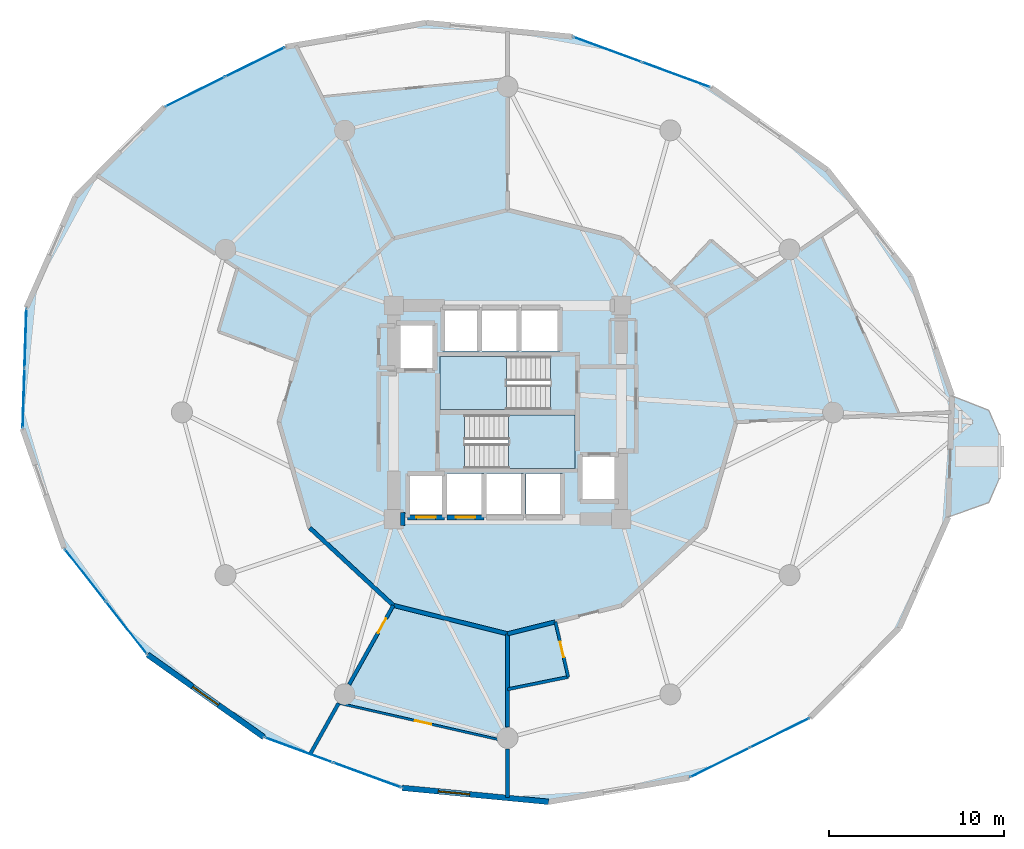
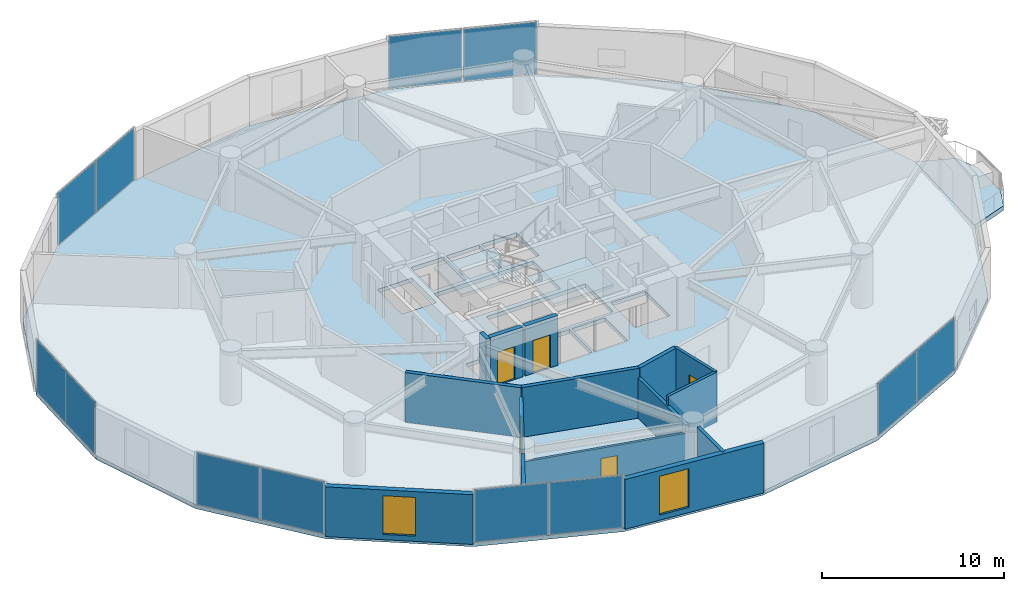
# One storey, part 16 of 22: 15 walls, 12 plates, 5 doors, 4 slabs, 2 windows, 7 openings, 8 elements without a shape of their own.
"""IFC4 building model written with IfcOpenShell, lengths in metres."""

from ifc_helpers import new_model, si_unit, direction, frame, frame_2d, origin, origin_2d, place, context, subcontext, project, spatial, polyline, rectangle, outline, extrude, source, transform, mapped, material, layer, layer_set, type_object, element, fill, aggregate, save


model = new_model("IFC4")

# Units and contexts
model_context = context("Model", 3, precision=1e-05, world=origin(), true_north=direction((0.0, 1.0)))
body_context = subcontext(model_context, "Body", "Model", "MODEL_VIEW")
ifc_project = project(units=[si_unit("LENGTHUNIT", "METRE"), si_unit("AREAUNIT", "SQUARE_METRE"), si_unit("VOLUMEUNIT", "CUBIC_METRE"), si_unit("PLANEANGLEUNIT", "RADIAN"), si_unit("MASSUNIT", "GRAM", prefix="KILO")], contexts=[model_context])

# Site, building, storey
site_placement = place(None, origin())
site = spatial("IfcSite", under=ifc_project, at=site_placement, CompositionType="ELEMENT")
building_placement = place(site_placement, origin())
building = spatial("IfcBuilding", under=site, at=building_placement, Name="Solvirekh Grand Hotel", CompositionType="ELEMENT")
storey_placement = place(building_placement, frame((0.0, 0.0, 53.60009765625)))
storey = spatial("IfcBuildingStorey", under=building, at=storey_placement, Name="L12", CompositionType="ELEMENT", Elevation=53.60009765625)

# Slab
ifc_material_1 = material(Name="Concrete C50/60", Category="concrete")
ifc_layer_1 = layer(ifc_material_1, 0.31005859375)
ifc_layer_set_1 = layer_set([ifc_layer_1], Name="Concrete C50/60")
slab_type_1 = type_object("IfcSlabType", Name="ExtHornSkyGarden_310", PredefinedType="FLOOR", material=ifc_layer_set_1)
slab_1_placement = place(storey_placement, frame((0.0, 0.0, -0.31005859375)))
element("IfcSlab", 1, at=slab_1_placement, inside=storey, type_object=slab_type_1, Name="L12 east horn sky-garden deck", PredefinedType="FLOOR", context=body_context, shape_type="SweptSolid", body=[
    extrude(outline(polyline([(25.39697265625, 0.93994140625), (25.178955078125, -5.98193359375), (27.4970703125, -5.15087890625), (28.096923828125, -3.76708984375), (28.096923828125, -1.27490234375), (27.4970703125, 0.10888671875), (25.39697265625, 0.93994140625)])), origin(), (0.0, 0.0, 1.0), 0.31005859375),
])

# Stair, slab
ifc_material_2 = material(Name="Concrete C40/50", Category="concrete")
stair_type = type_object("IfcStairType", Name="Stair_Core_1450", PredefinedType="HALF_TURN_STAIR", material=ifc_material_2)
stair_1_placement = place(storey_placement, origin())
stair_1 = element("IfcStair", 2, at=stair_1_placement, inside=storey, type_object=stair_type, Name="L12 Enclosed exit stair ST-1", PredefinedType="HALF_TURN_STAIR")
ifc_layer_2 = layer(ifc_material_2, 0.199951171875)
ifc_layer_set_2 = layer_set([ifc_layer_2], Name="Concrete C40/50")
slab_type_2 = type_object("IfcSlabType", Name="Landing_Stair_200", PredefinedType="LANDING", material=ifc_layer_set_2)
slab_2_placement = place(storey_placement, frame((0.0, 0.0, 1.599853515625)))
slab_2 = element("IfcSlab", 3, at=slab_2_placement, type_object=slab_type_2, Name="ST-1 landing 1", PredefinedType="LANDING", context=body_context, shape_type="SweptSolid", body=[
    extrude(outline(polyline([(0.070068359375, -3.199951171875), (3.85009765625, -3.199951171875), (3.85009765625, -0.14990234375), (0.070068359375, -0.14990234375), (0.070068359375, -3.199951171875)])), origin(), (0.0, 0.0, 1.0), 0.199951171875),
])
aggregate(stair_1, [slab_2])

stair_2_placement = place(storey_placement, origin())
stair_2 = element("IfcStair", 4, at=stair_2_placement, inside=storey, type_object=stair_type, Name="L12 Enclosed exit stair ST-2", PredefinedType="HALF_TURN_STAIR")
slab_3_placement = place(storey_placement, frame((0.0, 0.0, 1.599853515625)))
slab_3 = element("IfcSlab", 5, at=slab_3_placement, type_object=slab_type_2, Name="ST-2 landing 1", PredefinedType="LANDING", context=body_context, shape_type="SweptSolid", body=[
    extrude(outline(polyline([(-0.070068359375, 3.199951171875), (-3.85009765625, 3.199951171875), (-3.85009765625, 0.14990234375), (-0.070068359375, 0.14990234375), (-0.070068359375, 3.199951171875)])), origin(), (0.0, 0.0, 1.0), 0.199951171875),
])
aggregate(stair_2, [slab_3])

# Slab
ifc_layer_3 = layer(ifc_material_1, 0.260009765625)
ifc_layer_set_3 = layer_set([ifc_layer_3], Name="Concrete C50/60")
slab_type_3 = type_object("IfcSlabType", Name="Slab_GuestZ1_260", PredefinedType="FLOOR", material=ifc_layer_set_3)
slab_4_placement = place(storey_placement, frame((0.0, 0.0, -0.260009765625)))
element("IfcSlab", 6, at=slab_4_placement, inside=storey, type_object=slab_type_3, Name="L12 structural floor slab", PredefinedType="FLOOR", context=body_context, shape_type="SweptSolid", body=[
    extrude(outline(polyline([(25.178955078125, -5.98193359375), (25.39697265625, 0.93994140625), (23.01611328125, 7.77099609375), (18.26904296875, 13.840087890625), (11.6220703125, 18.554931640625), (3.72412109375, 21.452880859375), (-4.65087890625, 22.251953125), (-12.68310546875, 20.8720703125), (-19.5859375, 17.448974609375), (-24.68408203125, 12.318115234375), (-27.47900390625, 5.98193359375), (-27.697021484375, -0.93994140625), (-25.31591796875, -7.77099609375), (-20.569091796875, -13.840087890625), (-13.922119140625, -18.554931640625), (-6.02392578125, -21.452880859375), (2.35107421875, -22.251953125), (10.383056640625, -20.8720703125), (17.285888671875, -17.448974609375), (22.384033203125, -12.318115234375), (25.178955078125, -5.98193359375)]), holes=[polyline([(-2.444091796875, -0.14990234375), (3.85009765625, -0.14990234375), (3.85009765625, -3.199951171875), (-2.444091796875, -3.199951171875), (-2.444091796875, -0.14990234375)]), polyline([(2.444091796875, 0.14990234375), (-3.85009765625, 0.14990234375), (-3.85009765625, 3.199951171875), (2.444091796875, 3.199951171875), (2.444091796875, 0.14990234375)]), polyline([(-5.699951171875, -3.5), (-3.60009765625, -3.5), (-3.60009765625, -6.0), (-5.699951171875, -6.0), (-5.699951171875, -3.5)]), polyline([(-3.449951171875, -3.5), (-1.35009765625, -3.5), (-1.35009765625, -6.0), (-3.449951171875, -6.0), (-3.449951171875, -3.5)]), polyline([(-1.199951171875, -3.5), (0.89990234375, -3.5), (0.89990234375, -6.0), (-1.199951171875, -6.0), (-1.199951171875, -3.5)]), polyline([(1.050048828125, -3.5), (3.14990234375, -3.5), (3.14990234375, -6.0), (1.050048828125, -6.0), (1.050048828125, -3.5)]), polyline([(-3.699951171875, 6.0), (-1.60009765625, 6.0), (-1.60009765625, 3.5), (-3.699951171875, 3.5), (-3.699951171875, 6.0)]), polyline([(-1.449951171875, 6.0), (0.64990234375, 6.0), (0.64990234375, 3.5), (-1.449951171875, 3.5), (-1.449951171875, 6.0)]), polyline([(0.800048828125, 6.0), (3.0, 6.0), (3.0, 3.5), (0.800048828125, 3.5), (0.800048828125, 6.0)]), polyline([(-6.35009765625, 5.10009765625), (-4.14990234375, 5.10009765625), (-4.14990234375, 2.39990234375), (-6.35009765625, 2.39990234375), (-6.35009765625, 5.10009765625)]), polyline([(4.14990234375, -2.39990234375), (6.35009765625, -2.39990234375), (6.35009765625, -5.10009765625), (4.14990234375, -5.10009765625), (4.14990234375, -2.39990234375)])]), origin(), (0.0, 0.0, 1.0), 0.260009765625),
])

# Curtain wall, plates
ifc_material_3 = material(Name="Anodized Bronze Aluminium 6063-T6", Category="aluminium")
ifc_layer_4 = layer(ifc_material_3, 0.18994140625)
ifc_layer_set_4 = layer_set([ifc_layer_4], Name="Anodized Bronze Aluminium 6063-T6")
curtain_wall_type = type_object("IfcCurtainWallType", Name="CW_Sys2_LowZoneFlushBronzeCW", PredefinedType="NOTDEFINED", material=ifc_layer_set_4)
curtain_wall_1_placement = place(storey_placement, origin())
curtain_wall_1 = element("IfcCurtainWall", 7, at=curtain_wall_1_placement, inside=storey, type_object=curtain_wall_type, Name="L12 unitised bronze-glass curtain wall CW-L12-C05", PredefinedType="NOTDEFINED")
ifc_material_4 = material(Name="Low-E Tinted Bronze Laminated Glass", Category="aluminium")
ifc_layer_5 = layer(ifc_material_4, 0.0380859375)
ifc_layer_set_5 = layer_set([ifc_layer_5], Name="Low-E Tinted Bronze Laminated Glass")
plate_type = type_object("IfcPlateType", Name="CWPanel_Low_38", PredefinedType="CURTAIN_PANEL", material=ifc_layer_set_5)
shared_shape_1 = source(origin(), body_context, "Body", "SweptSolid", [
    extrude(rectangle(XDim=4.1015625, YDim=0.0380859375, at=origin_2d()), origin(), (0.0, 0.0, 1.0), 3.47998046875),
])
plate_1_placement = place(storey_placement, frame((9.631103515625, 19.28564453125, 0.059814453125), z_axis=(0.0, 0.0, 1.0), x_axis=(-0.938796892263, 0.344471181781, 0.0)))
plate_1 = element("IfcPlate", 8, at=plate_1_placement, type_object=plate_type, Name="U02 panel 1.1", PredefinedType="CURTAIN_PANEL", context=body_context, shape_type="MappedRepresentation", body=[
    mapped(shared_shape_1, transform((0.0, 0.0, 0.0), x_axis=(1.0, 0.0, 0.0), y_axis=(0.0, 1.0, 0.0), z_axis=(0.0, 0.0, 1.0), scale=1.0)),
])
plate_2_placement = place(storey_placement, frame((5.71484375, 20.722412109375, 0.059814453125), z_axis=(0.0, 0.0, 1.0), x_axis=(-0.938796892263, 0.344471181781, 0.0)))
plate_2 = element("IfcPlate", 9, at=plate_2_placement, type_object=plate_type, Name="U02 panel 2.1", PredefinedType="CURTAIN_PANEL", context=body_context, shape_type="MappedRepresentation", body=[
    mapped(shared_shape_1, transform((0.0, 0.0, 0.0), x_axis=(1.0, 0.0, 0.0), y_axis=(0.0, 1.0, 0.0), z_axis=(0.0, 0.0, 1.0), scale=1.0)),
])
aggregate(curtain_wall_1, [plate_1, plate_2])

curtain_wall_2_placement = place(storey_placement, origin())
curtain_wall_2 = element("IfcCurtainWall", 10, at=curtain_wall_2_placement, inside=storey, type_object=curtain_wall_type, Name="L12 unitised bronze-glass curtain wall CW-L12-C15", PredefinedType="NOTDEFINED")
plate_3_placement = place(storey_placement, frame((-11.93115234375, -19.28564453125, 0.059814453125), z_axis=(0.0, 0.0, 1.0), x_axis=(0.938796892263, -0.344471181781, 0.0)))
plate_3 = element("IfcPlate", 11, at=plate_3_placement, type_object=plate_type, Name="U02 panel 1.1", PredefinedType="CURTAIN_PANEL", context=body_context, shape_type="MappedRepresentation", body=[
    mapped(shared_shape_1, transform((0.0, 0.0, 0.0), x_axis=(1.0, 0.0, 0.0), y_axis=(0.0, 1.0, 0.0), z_axis=(0.0, 0.0, 1.0), scale=1.0)),
])
plate_4_placement = place(storey_placement, frame((-8.014892578125, -20.722412109375, 0.059814453125), z_axis=(0.0, 0.0, 1.0), x_axis=(0.938796892263, -0.344471181781, 0.0)))
plate_4 = element("IfcPlate", 12, at=plate_4_placement, type_object=plate_type, Name="U02 panel 2.1", PredefinedType="CURTAIN_PANEL", context=body_context, shape_type="MappedRepresentation", body=[
    mapped(shared_shape_1, transform((0.0, 0.0, 0.0), x_axis=(1.0, 0.0, 0.0), y_axis=(0.0, 1.0, 0.0), z_axis=(0.0, 0.0, 1.0), scale=1.0)),
])
aggregate(curtain_wall_2, [plate_3, plate_4])

curtain_wall_3_placement = place(storey_placement, origin())
curtain_wall_3 = element("IfcCurtainWall", 13, at=curtain_wall_3_placement, inside=storey, type_object=curtain_wall_type, Name="L12 unitised bronze-glass curtain wall CW-L12-C08", PredefinedType="NOTDEFINED")
shared_shape_2 = source(origin(), body_context, "Body", "SweptSolid", [
    extrude(rectangle(XDim=3.74755859375, YDim=0.0380859375, at=origin_2d()), origin(), (0.0, 0.0, 1.0), 3.47998046875),
])
plate_5_placement = place(storey_placement, frame((-14.42431640625, 20.008544921875, 0.059814453125), z_axis=(0.0, 0.0, 1.0), x_axis=(-0.895901838502, -0.444252063325, 0.0)))
plate_5 = element("IfcPlate", 14, at=plate_5_placement, type_object=plate_type, Name="U02 panel 1.1", PredefinedType="CURTAIN_PANEL", context=body_context, shape_type="MappedRepresentation", body=[
    mapped(shared_shape_2, transform((0.0, 0.0, 0.0), x_axis=(1.0, 0.0, 0.0), y_axis=(0.0, 1.0, 0.0), z_axis=(0.0, 0.0, 1.0), scale=1.0)),
])
plate_6_placement = place(storey_placement, frame((-17.844482421875, 18.3125, 0.059814453125), z_axis=(0.0, 0.0, 1.0), x_axis=(-0.895901838502, -0.444252063325, 0.0)))
plate_6 = element("IfcPlate", 15, at=plate_6_placement, type_object=plate_type, Name="U02 panel 2.1", PredefinedType="CURTAIN_PANEL", context=body_context, shape_type="MappedRepresentation", body=[
    mapped(shared_shape_2, transform((0.0, 0.0, 0.0), x_axis=(1.0, 0.0, 0.0), y_axis=(0.0, 1.0, 0.0), z_axis=(0.0, 0.0, 1.0), scale=1.0)),
])
aggregate(curtain_wall_3, [plate_5, plate_6])

curtain_wall_4_placement = place(storey_placement, origin())
curtain_wall_4 = element("IfcCurtainWall", 16, at=curtain_wall_4_placement, inside=storey, type_object=curtain_wall_type, Name="L12 unitised bronze-glass curtain wall CW-L12-C13", PredefinedType="NOTDEFINED")
plate_7_placement = place(storey_placement, frame((-24.118408203125, -9.302001953125, 0.059814453125), z_axis=(0.0, 0.0, 1.0), x_axis=(0.61609476898, -0.78767203558, 0.0)))
plate_7 = element("IfcPlate", 17, at=plate_7_placement, type_object=plate_type, Name="U02 panel 1.1", PredefinedType="CURTAIN_PANEL", context=body_context, shape_type="MappedRepresentation", body=[
    mapped(shared_shape_2, transform((0.0, 0.0, 0.0), x_axis=(1.0, 0.0, 0.0), y_axis=(0.0, 1.0, 0.0), z_axis=(0.0, 0.0, 1.0), scale=1.0)),
])
plate_8_placement = place(storey_placement, frame((-21.7666015625, -12.30908203125, 0.059814453125), z_axis=(0.0, 0.0, 1.0), x_axis=(0.61609476898, -0.78767203558, 0.0)))
plate_8 = element("IfcPlate", 18, at=plate_8_placement, type_object=plate_type, Name="U02 panel 2.1", PredefinedType="CURTAIN_PANEL", context=body_context, shape_type="MappedRepresentation", body=[
    mapped(shared_shape_2, transform((0.0, 0.0, 0.0), x_axis=(1.0, 0.0, 0.0), y_axis=(0.0, 1.0, 0.0), z_axis=(0.0, 0.0, 1.0), scale=1.0)),
])
aggregate(curtain_wall_4, [plate_7, plate_8])

curtain_wall_5_placement = place(storey_placement, origin())
curtain_wall_5 = element("IfcCurtainWall", 19, at=curtain_wall_5_placement, inside=storey, type_object=curtain_wall_type, Name="L12 unitised bronze-glass curtain wall CW-L12-C18", PredefinedType="NOTDEFINED")
plate_9_placement = place(storey_placement, frame((12.12451171875, -20.008544921875, 0.059814453125), z_axis=(0.0, 0.0, 1.0), x_axis=(0.895901838502, 0.444252063325, 0.0)))
plate_9 = element("IfcPlate", 20, at=plate_9_placement, type_object=plate_type, Name="U02 panel 1.1", PredefinedType="CURTAIN_PANEL", context=body_context, shape_type="MappedRepresentation", body=[
    mapped(shared_shape_2, transform((0.0, 0.0, 0.0), x_axis=(1.0, 0.0, 0.0), y_axis=(0.0, 1.0, 0.0), z_axis=(0.0, 0.0, 1.0), scale=1.0)),
])
plate_10_placement = place(storey_placement, frame((15.544677734375, -18.3125, 0.059814453125), z_axis=(0.0, 0.0, 1.0), x_axis=(0.895901838502, 0.444252063325, 0.0)))
plate_10 = element("IfcPlate", 21, at=plate_10_placement, type_object=plate_type, Name="U02 panel 2.1", PredefinedType="CURTAIN_PANEL", context=body_context, shape_type="MappedRepresentation", body=[
    mapped(shared_shape_2, transform((0.0, 0.0, 0.0), x_axis=(1.0, 0.0, 0.0), y_axis=(0.0, 1.0, 0.0), z_axis=(0.0, 0.0, 1.0), scale=1.0)),
])
aggregate(curtain_wall_5, [plate_9, plate_10])

curtain_wall_6_placement = place(storey_placement, origin())
curtain_wall_6 = element("IfcCurtainWall", 22, at=curtain_wall_6_placement, inside=storey, type_object=curtain_wall_type, Name="L12 unitised bronze-glass curtain wall CW-L12-C11", PredefinedType="NOTDEFINED")
shared_shape_3 = source(origin(), body_context, "Body", "SweptSolid", [
    extrude(rectangle(XDim=3.357666015625, YDim=0.0380859375, at=origin_2d()), origin(), (0.0, 0.0, 1.0), 3.47998046875),
])
plate_11_placement = place(storey_placement, frame((-27.533935546875, 4.23388671875, 0.059814453125), z_axis=(0.0, 0.0, 1.0), x_axis=(-0.03147818083, -0.999504439276, 0.0)))
plate_11 = element("IfcPlate", 23, at=plate_11_placement, type_object=plate_type, Name="U02 panel 1.1", PredefinedType="CURTAIN_PANEL", context=body_context, shape_type="MappedRepresentation", body=[
    mapped(shared_shape_3, transform((0.0, 0.0, 0.0), x_axis=(1.0, 0.0, 0.0), y_axis=(0.0, 1.0, 0.0), z_axis=(0.0, 0.0, 1.0), scale=1.0)),
])
plate_12_placement = place(storey_placement, frame((-27.641845703125, 0.80810546875, 0.059814453125), z_axis=(0.0, 0.0, 1.0), x_axis=(-0.03147818083, -0.999504439276, 0.0)))
plate_12 = element("IfcPlate", 24, at=plate_12_placement, type_object=plate_type, Name="U02 panel 2.1", PredefinedType="CURTAIN_PANEL", context=body_context, shape_type="MappedRepresentation", body=[
    mapped(shared_shape_3, transform((0.0, 0.0, 0.0), x_axis=(1.0, 0.0, 0.0), y_axis=(0.0, 1.0, 0.0), z_axis=(0.0, 0.0, 1.0), scale=1.0)),
])
aggregate(curtain_wall_6, [plate_11, plate_12])

# Wall, opening, door
ifc_layer_6 = layer(ifc_material_2, 0.280029296875)
ifc_layer_set_6 = layer_set([ifc_layer_6], Name="Concrete C40/50")
wall_type_1 = type_object("IfcWallType", Name="CoreShaftWall_RC280", PredefinedType="SOLIDWALL", material=ifc_layer_set_6)
wall_1_placement = place(storey_placement, frame((-5.699951171875, -6.0, 0.0), z_axis=(0.0, 0.0, 1.0), x_axis=(1.0, 0.0, 0.0)))
wall_1 = element("IfcWall", 25, at=wall_1_placement, inside=storey, type_object=wall_type_1, Name="L12 LP-1 hoistway S wall", PredefinedType="SOLIDWALL", context=body_context, shape_type="SweptSolid", body=[
    extrude(rectangle(XDim=2.099853515625, YDim=0.280029296875, at=frame_2d((1.0498046875, 0.0))), origin(), (0.0, 0.0, 1.0), 3.33984375),
])
opening_1_placement = place(wall_1_placement, frame((0.5, 0.0, 0.0)))
opening_1 = element("IfcOpeningElement", 26, at=opening_1_placement, cuts=wall_1, Name="Opening LD01", PredefinedType="OPENING", context=body_context, shape_type="SweptSolid", body=[
    extrude(rectangle(XDim=1.10009765625, YDim=2.199951171875, at=frame_2d((0.550048828125, 1.10009765625))), frame((0.0, 0.14990234375, 0.0), z_axis=(0.0, -1.0, 0.0), x_axis=(1.0, 0.0, 0.0)), (0.0, 0.0, 1.0), 0.300048828125),
])
ifc_material_5 = material(Name="Fire-Rated Steel Door Assembly", Category="steel")
door_type_1 = type_object("IfcDoorType", Name="Door_LiftLanding_1100X2200", OperationType="SLIDING_TO_LEFT", PredefinedType="DOOR", material=ifc_material_5)
door_1_placement = place(opening_1_placement, origin())
door_1 = element("IfcDoor", 27, at=door_1_placement, inside=storey, type_object=door_type_1, Name="L12 LP-1 sliding lift landing door", OperationType="SLIDING_TO_LEFT", OverallHeight=2.199951171875, OverallWidth=1.10009765625, PredefinedType="DOOR", context=body_context, shape_type="SweptSolid", body=[
    extrude(rectangle(XDim=1.10009765625, YDim=2.199951171875, at=frame_2d((0.550048828125, 1.10009765625))), frame((0.0, 0.02490234375, 0.0), z_axis=(0.0, -1.0, 0.0), x_axis=(1.0, 0.0, 0.0)), (0.0, 0.0, 1.0), 0.050048828125),
])
fill(opening_1, door_1)

wall_2_placement = place(storey_placement, frame((-3.449951171875, -6.0, 0.0), z_axis=(0.0, 0.0, 1.0), x_axis=(1.0, 0.0, 0.0)))
wall_2 = element("IfcWall", 28, at=wall_2_placement, inside=storey, type_object=wall_type_1, Name="L12 LP-2 hoistway S wall", PredefinedType="SOLIDWALL", context=body_context, shape_type="SweptSolid", body=[
    extrude(rectangle(XDim=2.099853515625, YDim=0.280029296875, at=frame_2d((1.0498046875, 0.0))), origin(), (0.0, 0.0, 1.0), 3.33984375),
])
opening_2_placement = place(wall_2_placement, frame((0.5, 0.0, 0.0)))
opening_2 = element("IfcOpeningElement", 29, at=opening_2_placement, cuts=wall_2, Name="Opening LD01", PredefinedType="OPENING", context=body_context, shape_type="SweptSolid", body=[
    extrude(rectangle(XDim=1.10009765625, YDim=2.199951171875, at=frame_2d((0.550048828125, 1.10009765625))), frame((0.0, 0.14990234375, 0.0), z_axis=(0.0, -1.0, 0.0), x_axis=(1.0, 0.0, 0.0)), (0.0, 0.0, 1.0), 0.300048828125),
])
door_2_placement = place(opening_2_placement, origin())
door_2 = element("IfcDoor", 30, at=door_2_placement, inside=storey, type_object=door_type_1, Name="L12 LP-2 sliding lift landing door", OperationType="SLIDING_TO_LEFT", OverallHeight=2.199951171875, OverallWidth=1.10009765625, PredefinedType="DOOR", context=body_context, shape_type="SweptSolid", body=[
    extrude(rectangle(XDim=1.10009765625, YDim=2.199951171875, at=frame_2d((0.550048828125, 1.10009765625))), frame((0.0, 0.02490234375, 0.0), z_axis=(0.0, -1.0, 0.0), x_axis=(1.0, 0.0, 0.0)), (0.0, 0.0, 1.0), 0.050048828125),
])
fill(opening_2, door_2)

# Wall
ifc_material_6 = material(Name="Concrete C60/75", Category="concrete")
ifc_layer_7 = layer(ifc_material_6, 0.75)
ifc_layer_set_7 = layer_set([ifc_layer_7], Name="Concrete C60/75")
wall_type_2 = type_object("IfcWallType", Name="CoreWall_RC750", PredefinedType="SHEAR", material=ifc_layer_set_7)
wall_3_placement = place(storey_placement, frame((-6.125, -6.10009765625, 0.0), z_axis=(0.0, 0.0, 1.0), x_axis=(1.0, 0.0, 0.0)))
element("IfcWall", 31, at=wall_3_placement, inside=storey, type_object=wall_type_2, Name="L12 core corner shear wall SW-S", PredefinedType="SHEAR", context=body_context, shape_type="SweptSolid", body=[
    extrude(rectangle(XDim=0.27490234375, YDim=0.75, at=frame_2d((0.137451171875, 0.0))), origin(), (0.0, 0.0, 1.0), 3.599853515625),
])

# Wall, opening, window
ifc_material_7 = material(Name="Precast concrete C45/55", Category="concrete")
ifc_layer_8 = layer(ifc_material_7, 0.320068359375)
ifc_layer_set_8 = layer_set([ifc_layer_8], Name="Precast concrete C45/55")
wall_type_3 = type_object("IfcWallType", Name="ExtLobbyWall_RC320", PredefinedType="SOLIDWALL", material=ifc_layer_set_8)
wall_4_placement = place(storey_placement, frame((-13.922119140625, -18.554931640625, 0.0), z_axis=(0.0, 0.0, 1.0), x_axis=(-0.815643955579, 0.578554178731, 0.0)))
wall_4 = element("IfcWall", 32, at=wall_4_placement, inside=storey, type_object=wall_type_3, Name="L12 exterior structural wall chord 14", PredefinedType="SOLIDWALL", context=body_context, shape_type="SweptSolid", body=[
    extrude(rectangle(XDim=8.1494140625, YDim=0.320068359375, at=frame_2d((4.07470703125, 0.0))), origin(), (0.0, 0.0, 1.0), 3.33984375),
])
opening_3_placement = place(wall_4_placement, frame((3.175048828125, 0.0, 0.35009765625)))
opening_3 = element("IfcOpeningElement", 33, at=opening_3_placement, cuts=wall_4, Name="Opening W02", PredefinedType="OPENING", context=body_context, shape_type="SweptSolid", body=[
    extrude(rectangle(XDim=1.800048828125, YDim=2.60009765625, at=frame_2d((0.89990234375, 1.300048828125))), frame((0.0, 0.169921875, 0.0), z_axis=(0.0, -1.0, 0.0), x_axis=(1.0, 0.0, 0.0)), (0.0, 0.0, 1.0), 0.340087890625),
])
window_type = type_object("IfcWindowType", Name="Win_LobbyExt_1800X2600", PartitioningType="SINGLE_PANEL", PredefinedType="WINDOW", material=ifc_material_4)
window_1_placement = place(opening_3_placement, origin())
window_1 = element("IfcWindow", 34, at=window_1_placement, inside=storey, type_object=window_type, Name="L12 panoramic bronze-framed window 14", OverallHeight=2.60009765625, OverallWidth=1.800048828125, PartitioningType="SINGLE_PANEL", PredefinedType="WINDOW", context=body_context, shape_type="SweptSolid", body=[
    extrude(rectangle(XDim=1.800048828125, YDim=2.60009765625, at=frame_2d((0.89990234375, 1.300048828125))), frame((0.0, 0.030029296875, 0.0), z_axis=(0.0, -1.0, 0.0), x_axis=(1.0, 0.0, 0.0)), (0.0, 0.0, 1.0), 0.06005859375),
])
fill(opening_3, window_1)

wall_5_placement = place(storey_placement, frame((2.35107421875, -22.251953125, 0.0), z_axis=(0.0, 0.0, 1.0), x_axis=(-0.995479154881, 0.094980272677, 0.0)))
wall_5 = element("IfcWall", 35, at=wall_5_placement, inside=storey, type_object=wall_type_3, Name="L12 exterior structural wall chord 16", PredefinedType="SOLIDWALL", context=body_context, shape_type="SweptSolid", body=[
    extrude(rectangle(XDim=8.4130859375, YDim=0.320068359375, at=frame_2d((4.20654296875, 0.0))), origin(), (0.0, 0.0, 1.0), 3.33984375),
])
opening_4_placement = place(wall_5_placement, frame((4.5390625, 0.0, 0.35009765625)))
opening_4 = element("IfcOpeningElement", 36, at=opening_4_placement, cuts=wall_5, Name="Opening W02", PredefinedType="OPENING", context=body_context, shape_type="SweptSolid", body=[
    extrude(rectangle(XDim=1.800048828125, YDim=2.60009765625, at=frame_2d((0.89990234375, 1.300048828125))), frame((0.0, 0.169921875, 0.0), z_axis=(0.0, -1.0, 0.0), x_axis=(1.0, 0.0, 0.0)), (0.0, 0.0, 1.0), 0.340087890625),
])
window_2_placement = place(opening_4_placement, origin())
window_2 = element("IfcWindow", 37, at=window_2_placement, inside=storey, type_object=window_type, Name="L12 panoramic bronze-framed window 16", OverallHeight=2.60009765625, OverallWidth=1.800048828125, PartitioningType="SINGLE_PANEL", PredefinedType="WINDOW", context=body_context, shape_type="SweptSolid", body=[
    extrude(rectangle(XDim=1.800048828125, YDim=2.60009765625, at=frame_2d((0.89990234375, 1.300048828125))), frame((0.0, 0.030029296875, 0.0), z_axis=(0.0, -1.0, 0.0), x_axis=(1.0, 0.0, 0.0)), (0.0, 0.0, 1.0), 0.06005859375),
])
fill(opening_4, window_2)

# Walls
ifc_material_8 = material(Name="Acoustic Gypsum Partition Assembly")
ifc_layer_9 = layer(ifc_material_8, 0.239990234375)
ifc_layer_set_9 = layer_set([ifc_layer_9], Name="Acoustic Gypsum Partition Assembly")
wall_type_4 = type_object("IfcWallType", Name="Part_Corridor_240", PredefinedType="PARTITIONING", material=ifc_layer_set_9)
wall_6_placement = place(storey_placement, frame((-11.302001953125, -6.60009765625, 0.0), z_axis=(0.0, 0.0, 1.0), x_axis=(0.733323191675, -0.679880207501, 0.0)))
element("IfcWall", 38, at=wall_6_placement, inside=storey, type_object=wall_type_4, Name="L12 Presidential Suite 1401 Living Room corridor wall 2", PredefinedType="PARTITIONING", context=body_context, shape_type="SweptSolid", body=[
    extrude(rectangle(XDim=6.514404296875, YDim=0.239990234375, at=frame_2d((3.25732421875, 0.0))), origin(), (0.0, 0.0, 1.0), 3.33984375),
])
wall_7_placement = place(storey_placement, frame((-6.52490234375, -11.029052734375, 0.0), z_axis=(0.0, 0.0, 1.0), x_axis=(0.970504544001, -0.241082828243, 0.0)))
element("IfcWall", 39, at=wall_7_placement, inside=storey, type_object=wall_type_4, Name="L12 Presidential Suite 1401 Suite Foyer corridor enclosure wall", PredefinedType="PARTITIONING", context=body_context, shape_type="SweptSolid", body=[
    extrude(rectangle(XDim=6.72314453125, YDim=0.239990234375, at=frame_2d((3.361572265625, 0.0))), origin(), (0.0, 0.0, 1.0), 3.33984375),
])
wall_8_placement = place(storey_placement, frame((0.0, -12.64990234375, 0.0), z_axis=(0.0, 0.0, 1.0), x_axis=(0.970482346271, 0.241172169986, 0.0)))
element("IfcWall", 40, at=wall_8_placement, inside=storey, type_object=wall_type_4, Name="L12 En-suite Bathroom 1402 corridor backing wall", PredefinedType="PARTITIONING", context=body_context, shape_type="SweptSolid", body=[
    extrude(rectangle(XDim=2.8232421875, YDim=0.239990234375, at=frame_2d((1.41162109375, 0.0))), origin(), (0.0, 0.0, 1.0), 3.33984375),
])

# Wall, opening, door
ifc_layer_10 = layer(ifc_material_8, 0.135009765625)
ifc_layer_set_10 = layer_set([ifc_layer_10], Name="Acoustic Gypsum Partition Assembly")
wall_type_5 = type_object("IfcWallType", Name="Part_RoomInt_135", PredefinedType="PARTITIONING", material=ifc_layer_set_10)
wall_9_placement = place(storey_placement, frame((-9.64599609375, -16.614990234375, 0.0), z_axis=(0.0, 0.0, 1.0), x_axis=(0.975007616146, -0.222171439336, 0.0)))
wall_9 = element("IfcWall", 41, at=wall_9_placement, inside=storey, type_object=wall_type_5, Name="L12 Presidential Suite 1401 Suite Foyer bedroom screen wall", PredefinedType="PARTITIONING", context=body_context, shape_type="SweptSolid", body=[
    extrude(rectangle(XDim=9.893310546875, YDim=0.135009765625, at=frame_2d((4.94677734375, 0.0))), origin(), (0.0, 0.0, 1.0), 2.7919921875),
])
opening_5_placement = place(wall_9_placement, frame((4.471923828125, 0.0, 0.0)))
opening_5 = element("IfcOpeningElement", 42, at=opening_5_placement, cuts=wall_9, Name="Opening D10", PredefinedType="OPENING", context=body_context, shape_type="SweptSolid", body=[
    extrude(rectangle(XDim=0.949951171875, YDim=2.10009765625, at=frame_2d((0.47509765625, 1.050048828125))), frame((0.0, 0.07763671875, 0.0), z_axis=(0.0, -1.0, 0.0), x_axis=(1.0, 0.0, 0.0)), (0.0, 0.0, 1.0), 0.155029296875),
])
door_type_2 = type_object("IfcDoorType", Name="Door_RoomInt_950X2100", OperationType="NOTDEFINED", PredefinedType="DOOR", material=ifc_material_3)
door_3_placement = place(opening_5_placement, origin())
door_3 = element("IfcDoor", 43, at=door_3_placement, inside=storey, type_object=door_type_2, Name="L12 Presidential Suite 1401 Suite Foyer master bedroom door", OperationType="SINGLE_SWING_RIGHT", OverallHeight=2.10009765625, OverallWidth=0.949951171875, PredefinedType="DOOR", context=body_context, shape_type="SweptSolid", body=[
    extrude(rectangle(XDim=0.949951171875, YDim=2.10009765625, at=frame_2d((0.47509765625, 1.050048828125))), frame((0.0, 0.02490234375, 0.0), z_axis=(0.0, -1.0, 0.0), x_axis=(1.0, 0.0, 0.0)), (0.0, 0.0, 1.0), 0.050048828125),
])
fill(opening_5, door_3)

ifc_layer_11 = layer(ifc_material_8, 0.2099609375)
ifc_layer_set_11 = layer_set([ifc_layer_11], Name="Acoustic Gypsum Partition Assembly")
wall_type_6 = type_object("IfcWallType", Name="Part_SuiteDemise_210", PredefinedType="PARTITIONING", material=ifc_layer_set_11)
wall_10_placement = place(storey_placement, frame((-6.52490234375, -11.029052734375, 0.0), z_axis=(0.0, 0.0, 1.0), x_axis=(-0.487862634596, -0.872920414336, 0.0)))
wall_10 = element("IfcWall", 44, at=wall_10_placement, inside=storey, type_object=wall_type_6, Name="L12 suite radial wall 9 (A)", PredefinedType="PARTITIONING", context=body_context, shape_type="SweptSolid", body=[
    extrude(rectangle(XDim=5.169921875, YDim=0.2099609375, at=frame_2d((2.5849609375, 0.0))), origin(), (0.0, 0.0, 1.0), 2.708984375),
])
opening_6_placement = place(wall_10_placement, frame((0.843994140625, 0.0, 0.0)))
opening_6 = element("IfcOpeningElement", 45, at=opening_6_placement, cuts=wall_10, Name="Opening D10", PredefinedType="OPENING", context=body_context, shape_type="SweptSolid", body=[
    extrude(rectangle(XDim=0.949951171875, YDim=2.10009765625, at=frame_2d((0.47509765625, 1.050048828125))), frame((0.0, 0.114990234375, 0.0), z_axis=(0.0, -1.0, 0.0), x_axis=(1.0, 0.0, 0.0)), (0.0, 0.0, 1.0), 0.22998046875),
])
door_4_placement = place(opening_6_placement, origin())
door_4 = element("IfcDoor", 46, at=door_4_placement, inside=storey, type_object=door_type_2, Name="L12 Presidential Suite 1401 Suite Foyer suite connecting door", OperationType="SINGLE_SWING_LEFT", OverallHeight=2.10009765625, OverallWidth=0.949951171875, PredefinedType="DOOR", context=body_context, shape_type="SweptSolid", body=[
    extrude(rectangle(XDim=0.949951171875, YDim=2.10009765625, at=frame_2d((0.47509765625, 1.050048828125))), frame((0.0, 0.02490234375, 0.0), z_axis=(0.0, -1.0, 0.0), x_axis=(1.0, 0.0, 0.0)), (0.0, 0.0, 1.0), 0.050048828125),
])
fill(opening_6, door_4)

# Walls
wall_11_placement = place(storey_placement, frame((-9.64892578125, -16.6201171875, 0.0), z_axis=(0.0, 0.0, 1.0), x_axis=(-0.487852958735, -0.872925821965, 0.0)))
element("IfcWall", 47, at=wall_11_placement, inside=storey, type_object=wall_type_6, Name="L12 suite radial wall 9 (B)", PredefinedType="PARTITIONING", context=body_context, shape_type="SweptSolid", body=[
    extrude(rectangle(XDim=3.289794921875, YDim=0.2099609375, at=frame_2d((1.64501953125, 0.0))), origin(), (0.0, 0.0, 1.0), 3.33984375),
])
wall_12_placement = place(storey_placement, frame((0.0, -12.64990234375, 0.0), z_axis=(0.0, 0.0, 1.0), x_axis=(0.0, -1.0, 0.0)))
element("IfcWall", 48, at=wall_12_placement, inside=storey, type_object=wall_type_6, Name="L12 suite radial wall 10 (A)", PredefinedType="PARTITIONING", context=body_context, shape_type="SweptSolid", body=[
    extrude(rectangle(XDim=5.330078125, YDim=0.2099609375, at=frame_2d((2.6650390625, 0.0))), origin(), (0.0, 0.0, 1.0), 2.708984375),
])
wall_13_placement = place(storey_placement, frame((0.0, -19.219970703125, 0.0), z_axis=(0.0, 0.0, 1.0), x_axis=(0.0, -1.0, 0.0)))
element("IfcWall", 49, at=wall_13_placement, inside=storey, type_object=wall_type_6, Name="L12 suite radial wall 10 (B)", PredefinedType="PARTITIONING", context=body_context, shape_type="SweptSolid", body=[
    extrude(rectangle(XDim=2.76806640625, YDim=0.2099609375, at=frame_2d((1.384033203125, 0.0))), origin(), (0.0, 0.0, 1.0), 3.33984375),
])
ifc_layer_12 = layer(ifc_material_8, 0.175048828125)
ifc_layer_set_12 = layer_set([ifc_layer_12], Name="Acoustic Gypsum Partition Assembly")
wall_type_7 = type_object("IfcWallType", Name="Plumb_Ensuite_175", PredefinedType="PLUMBINGWALL", material=ifc_layer_set_12)
wall_14_placement = place(storey_placement, frame((0.0, -15.824951171875, 0.0), z_axis=(0.0, 0.0, 1.0), x_axis=(0.979953078404, 0.199228421986, 0.0)))
element("IfcWall", 50, at=wall_14_placement, inside=storey, type_object=wall_type_7, Name="L12 En-suite Bathroom 1402 outer plumbing wall", PredefinedType="PLUMBINGWALL", context=body_context, shape_type="SweptSolid", body=[
    extrude(rectangle(XDim=3.5439453125, YDim=0.175048828125, at=frame_2d((1.77197265625, 0.0))), origin(), (0.0, 0.0, 1.0), 3.33984375),
])

# Wall, opening, door
wall_15_placement = place(storey_placement, frame((2.739990234375, -11.968994140625, 0.0), z_axis=(0.0, 0.0, 1.0), x_axis=(0.226623417756, -0.97398245699, 0.0)))
wall_15 = element("IfcWall", 51, at=wall_15_placement, inside=storey, type_object=wall_type_7, Name="L12 En-suite Bathroom 1402 entry plumbing wall", PredefinedType="PLUMBINGWALL", context=body_context, shape_type="SweptSolid", body=[
    extrude(rectangle(XDim=3.234130859375, YDim=0.175048828125, at=frame_2d((1.6171875, 0.0))), origin(), (0.0, 0.0, 1.0), 3.33984375),
])
opening_7_placement = place(wall_15_placement, frame((1.1669921875, 0.0, 0.0)))
opening_7 = element("IfcOpeningElement", 52, at=opening_7_placement, cuts=wall_15, Name="Opening D09", PredefinedType="OPENING", context=body_context, shape_type="SweptSolid", body=[
    extrude(rectangle(XDim=0.89990234375, YDim=2.10009765625, at=frame_2d((0.449951171875, 1.050048828125))), frame((0.0, 0.09765625, 0.0), z_axis=(0.0, -1.0, 0.0), x_axis=(1.0, 0.0, 0.0)), (0.0, 0.0, 1.0), 0.195068359375),
])
door_type_3 = type_object("IfcDoorType", Name="Door_Ensuite_900X2100", OperationType="NOTDEFINED", PredefinedType="DOOR", material=ifc_material_3)
door_5_placement = place(opening_7_placement, origin())
door_5 = element("IfcDoor", 53, at=door_5_placement, inside=storey, type_object=door_type_3, Name="L12 En-suite Bathroom 1402 door", OperationType="SINGLE_SWING_LEFT", OverallHeight=2.10009765625, OverallWidth=0.89990234375, PredefinedType="DOOR", context=body_context, shape_type="SweptSolid", body=[
    extrude(rectangle(XDim=0.89990234375, YDim=2.10009765625, at=frame_2d((0.449951171875, 1.050048828125))), frame((0.0, 0.02490234375, 0.0), z_axis=(0.0, -1.0, 0.0), x_axis=(1.0, 0.0, 0.0)), (0.0, 0.0, 1.0), 0.050048828125),
])
fill(opening_7, door_5)

save(model, "model.ifc")
